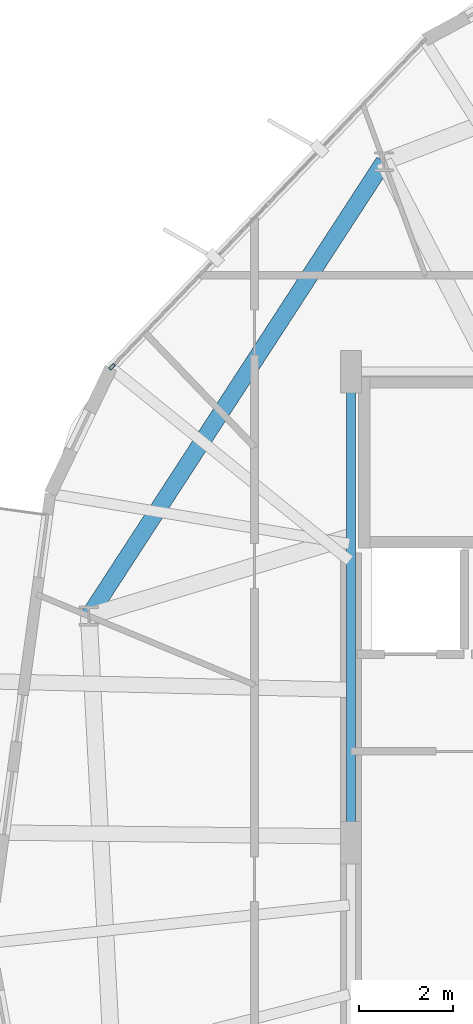
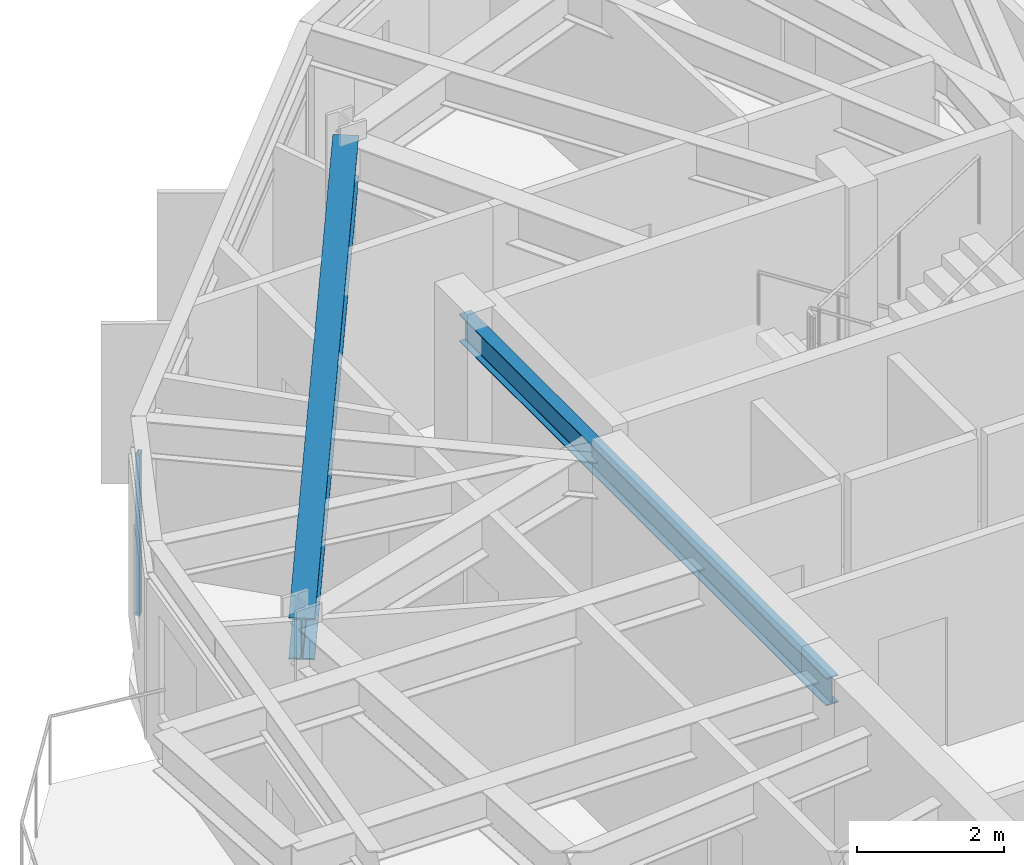
# One storey, part 9 of 27: 2 beams, 1 member, 1 element without a shape of its own.
"""IFC4 building model written with IfcOpenShell, lengths in metres."""

from ifc_helpers import new_model, si_unit, direction, frame, origin, origin_2d, place, context, subcontext, project, spatial, hollow_rectangle, i_section, extrude, material, layer, layer_set, material_profile, profile_set, type_object, element, aggregate, save


model = new_model("IFC4")

# Units and contexts
model_context = context("Model", 3, precision=1e-05, world=origin(), true_north=direction((0.0, 1.0)))
body_context = subcontext(model_context, "Body", "Model", "MODEL_VIEW")
ifc_project = project(units=[si_unit("LENGTHUNIT", "METRE"), si_unit("AREAUNIT", "SQUARE_METRE"), si_unit("VOLUMEUNIT", "CUBIC_METRE"), si_unit("PLANEANGLEUNIT", "RADIAN"), si_unit("MASSUNIT", "GRAM", prefix="KILO")], contexts=[model_context])

# Site, building, storey
site_placement = place(None, origin())
site = spatial("IfcSite", under=ifc_project, at=site_placement, CompositionType="ELEMENT")
building_placement = place(site_placement, origin())
building = spatial("IfcBuilding", under=site, at=building_placement, Name="Soratama Intermodal Tower", CompositionType="ELEMENT")
storey_placement = place(building_placement, frame((0.0, 0.0, 208.60009765625)))
storey = spatial("IfcBuildingStorey", under=building, at=storey_placement, Name="L52", CompositionType="ELEMENT", Elevation=208.60009765625)

# Beams
ifc_material_1 = material(Name="Structural steel ASTM A992 Grade 50", Category="steel")
ifc_material_profile_1 = material_profile(ifc_material_1, i_section(OverallWidth=0.19091796875, OverallDepth=0.4599609375, WebThickness=0.010009765625, FlangeThickness=0.01611328125, FilletRadius=0.010986328125, at=origin_2d()), Name="W18X55")
ifc_profile_set_1 = profile_set([ifc_material_profile_1], Name="Structural steel ASTM A992 Grade 50")
beam_type_1 = type_object("IfcBeamType", Name="BM-FLR-W18X55", PredefinedType="BEAM", material=ifc_profile_set_1)
beam_1_placement = place(storey_placement, frame((32.60009765625, 35.0, 3.06982421875), z_axis=(0.0, -1.0, 0.0), x_axis=(1.0, 0.0, 0.0)))
element("IfcBeam", 1, at=beam_1_placement, inside=storey, type_object=beam_type_1, Name="BM-L52-CRING-08", PredefinedType="BEAM", context=body_context, shape_type="SweptSolid", body=[
    extrude(i_section(OverallWidth=0.19091796875, OverallDepth=0.4599609375, WebThickness=0.010009765625, FlangeThickness=0.01611328125, FilletRadius=0.010986328125, at=origin_2d()), origin(), (0.0, 0.0, 1.0), 10.0),
])
ifc_material_2 = material(Name="Structural steel ASTM A992 Grade 50", Category="steel")
ifc_material_profile_2 = material_profile(ifc_material_2, i_section(OverallWidth=0.35498046875, OverallDepth=0.695068359375, WebThickness=0.015380859375, FlangeThickness=0.02490234375, FilletRadius=0.01611328125, at=origin_2d()), Name="W27X146")
ifc_profile_set_2 = profile_set([ifc_material_profile_2], Name="Structural steel ASTM A992 Grade 50")
beam_type_2 = type_object("IfcBeamType", Name="BM-RING-W27X146", PredefinedType="BEAM", material=ifc_profile_set_2)
beam_2_placement = place(storey_placement, frame((33.294921875, 39.455078125, 2.952392578125), z_axis=(-0.544637453764, -0.83867159482, 0.0), x_axis=(0.83867159482, -0.544637453764, 0.0)))
element("IfcBeam", 2, at=beam_2_placement, inside=storey, type_object=beam_type_2, Name="BM-L52-RING-04", PredefinedType="BEAM", context=body_context, shape_type="SweptSolid", body=[
    extrude(i_section(OverallWidth=0.35498046875, OverallDepth=0.695068359375, WebThickness=0.015380859375, FlangeThickness=0.02490234375, FilletRadius=0.01611328125, at=origin_2d()), origin(), (0.0, 0.0, 1.0), 11.49560546875),
])

# Curtain wall, member
ifc_material_3 = material(Name="Double-glazed aluminium curtain wall", Category="aluminium")
ifc_layer = layer(ifc_material_3, 0.159912109375)
ifc_layer_set = layer_set([ifc_layer], Name="Double-glazed aluminium curtain wall")
curtain_wall_type = type_object("IfcCurtainWallType", Name="CW-SYS-5", PredefinedType="NOTDEFINED", material=ifc_layer_set)
curtain_wall_placement = place(storey_placement, origin())
curtain_wall = element("IfcCurtainWall", 3, at=curtain_wall_placement, inside=storey, type_object=curtain_wall_type, Name="L52 Faceted Curtain Wall F03", PredefinedType="NOTDEFINED")
ifc_material_4 = material(Name="Anodised aluminium AA 6063-T6", Category="aluminium")
ifc_material_profile_3 = material_profile(ifc_material_4, hollow_rectangle(XDim=0.06494140625, YDim=0.139892578125, WallThickness=0.0048828125, InnerFilletRadius=0.0048828125, OuterFilletRadius=0.010009765625, at=origin_2d()), Name="CWM140X65X5")
ifc_profile_set_3 = profile_set([ifc_material_profile_3], Name="Anodised aluminium AA 6063-T6")
member_type = type_object("IfcMemberType", Name="MT-CWM-5", PredefinedType="MULLION", material=ifc_profile_set_3)
member_placement = place(storey_placement, frame((27.52587890625, 35.10302734375, 0.0), z_axis=(0.0, 0.0, 1.0), x_axis=(0.72248523177, -0.691386353549, 0.0)))
member = element("IfcMember", 4, at=member_placement, type_object=member_type, Name="CW-5 mullion 3", PredefinedType="MULLION", context=body_context, shape_type="SweptSolid", body=[
    extrude(hollow_rectangle(XDim=0.06494140625, YDim=0.139892578125, WallThickness=0.0048828125, InnerFilletRadius=0.0048828125, OuterFilletRadius=0.010009765625, at=origin_2d()), origin(), (0.0, 0.0, 1.0), 2.678955078125),
])
aggregate(curtain_wall, [member])

save(model, "model.ifc")
